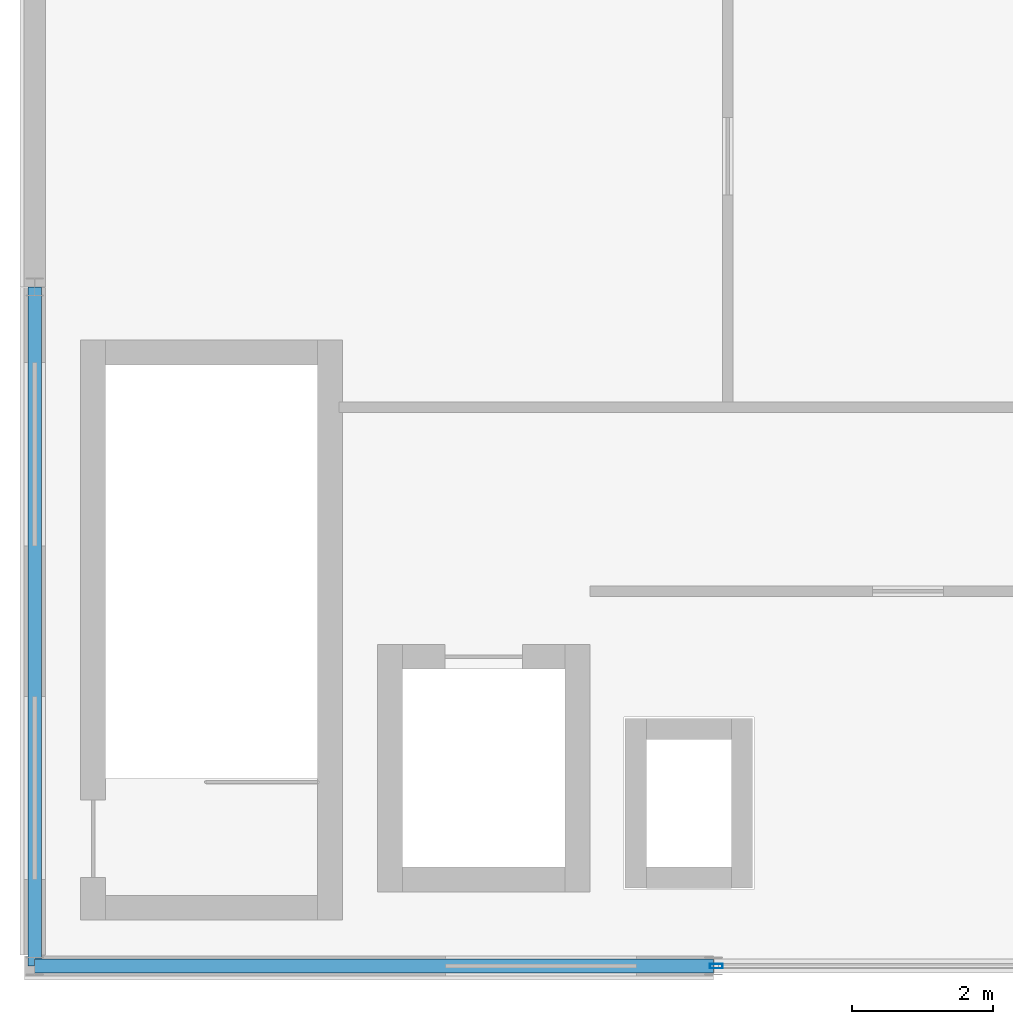
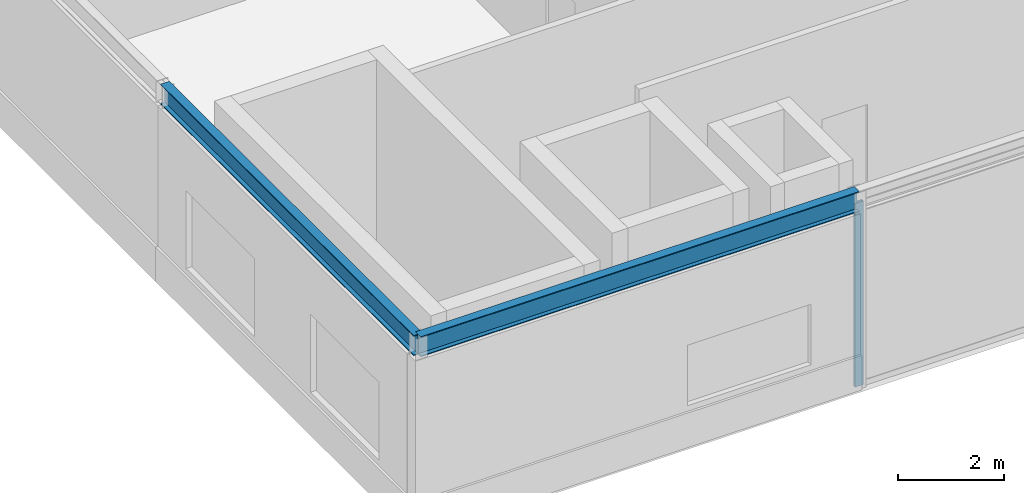
# One storey, part 18 of 133: 2 beams, 1 member, 1 element without a shape of its own.
"""IFC4 building model written with IfcOpenShell, lengths in metres."""

from ifc_helpers import new_model, si_unit, direction, frame, origin, origin_2d, place, context, subcontext, project, spatial, hollow_rectangle, i_section, extrude, material, material_profile, profile_set, type_object, element, aggregate, save


model = new_model("IFC4")

# Units and contexts
model_context = context("Model", 3, precision=1e-05, world=origin(), true_north=direction((0.0, 1.0)))
body_context = subcontext(model_context, "Body", "Model", "MODEL_VIEW")
ifc_project = project(units=[si_unit("LENGTHUNIT", "METRE"), si_unit("AREAUNIT", "SQUARE_METRE"), si_unit("VOLUMEUNIT", "CUBIC_METRE"), si_unit("PLANEANGLEUNIT", "RADIAN"), si_unit("MASSUNIT", "GRAM", prefix="KILO")], contexts=[model_context])

# Site, building, storey
site_placement = place(None, origin())
site = spatial("IfcSite", under=ifc_project, at=site_placement, CompositionType="ELEMENT")
building_placement = place(site_placement, origin())
building = spatial("IfcBuilding", under=site, at=building_placement, Name="Almandine Court Research Institute", CompositionType="ELEMENT")
storey_placement = place(building_placement, frame((0.0, 0.0, 9.800048828125)))
storey = spatial("IfcBuildingStorey", under=building, at=storey_placement, Name="L02", CompositionType="ELEMENT", Elevation=9.800048828125)

# Beams
ifc_material_1 = material(Name="Steel ASTM A992 Grade 50", Category="steel")
ifc_material_profile_1 = material_profile(ifc_material_1, i_section(OverallWidth=0.193115234375, OverallDepth=0.466064453125, WebThickness=0.010986328125, FlangeThickness=0.01904296875, at=origin_2d()), Name="W460x97")
ifc_profile_set_1 = profile_set([ifc_material_profile_1], Name="Steel ASTM A992 Grade 50")
beam_type = type_object("IfcBeamType", Name="Beam-G-06-E", PredefinedType="SPANDREL", material=ifc_profile_set_1)
for number, where, z_axis, x_axis, name in (
    (1, (6.0, 6.0, 4.31689453125), (1.0, 0.0, 0.0), (0.0, 1.0, 0.0), "L02 V1 Primary X Girder"),
    (2, (6.0, 6.0, 4.31689453125), (0.0, 1.0, 0.0), (-1.0, 0.0, 0.0), "L02 V1 Primary Y Girder"),
):
    element("IfcBeam", number, at=place(storey_placement, frame(where, z_axis=z_axis, x_axis=x_axis)), inside=storey, type_object=beam_type, Name=name, PredefinedType="SPANDREL", context=body_context, shape_type="SweptSolid", body=[
        extrude(i_section(OverallWidth=0.193115234375, OverallDepth=0.466064453125, WebThickness=0.010986328125, FlangeThickness=0.01904296875, at=origin_2d()), origin(), (0.0, 0.0, 1.0), 9.60009765625),
    ])

# Curtain wall, member
ifc_material_2 = material(Name="Unitised Curtain Wall Framing and Solar Glazing", Category="glass")
curtain_wall_type = type_object("IfcCurtainWallType", Name="CW-CWJ-03", PredefinedType="USERDEFINED", material=ifc_material_2)
curtain_wall_placement = place(storey_placement, origin())
curtain_wall = element("IfcCurtainWall", 3, at=curtain_wall_placement, inside=storey, type_object=curtain_wall_type, Name="L02 Lecture Foyer South Jali Curtain Wall", ObjectType="SOLAR JALI SCREEN", PredefinedType="USERDEFINED")
ifc_material_3 = material(Name="Anodised Aluminium AW-6063-T6", Category="aluminium")
ifc_material_profile_2 = material_profile(ifc_material_3, hollow_rectangle(XDim=0.06494140625, YDim=0.179931640625, WallThickness=0.00390625, at=origin_2d()), Name="ALU RHS 65x180x4")
ifc_profile_set_2 = profile_set([ifc_material_profile_2], Name="Anodised Aluminium AW-6063-T6")
member_type = type_object("IfcMemberType", Name="CWMul-65x180", PredefinedType="MULLION", material=ifc_profile_set_2)
member_placement = place(storey_placement, frame((15.636474609375, 6.0, 0.0), z_axis=(0.0, 0.0, 1.0), x_axis=(0.0, -1.0, 0.0)))
member = element("IfcMember", 4, at=member_placement, type_object=member_type, Name="CWJ-03 mullion 3", PredefinedType="MULLION", context=body_context, shape_type="SweptSolid", body=[
    extrude(hollow_rectangle(XDim=0.06494140625, YDim=0.179931640625, WallThickness=0.00390625, at=origin_2d()), origin(), (0.0, 0.0, 1.0), 4.25),
])
aggregate(curtain_wall, [member])

save(model, "model.ifc")
